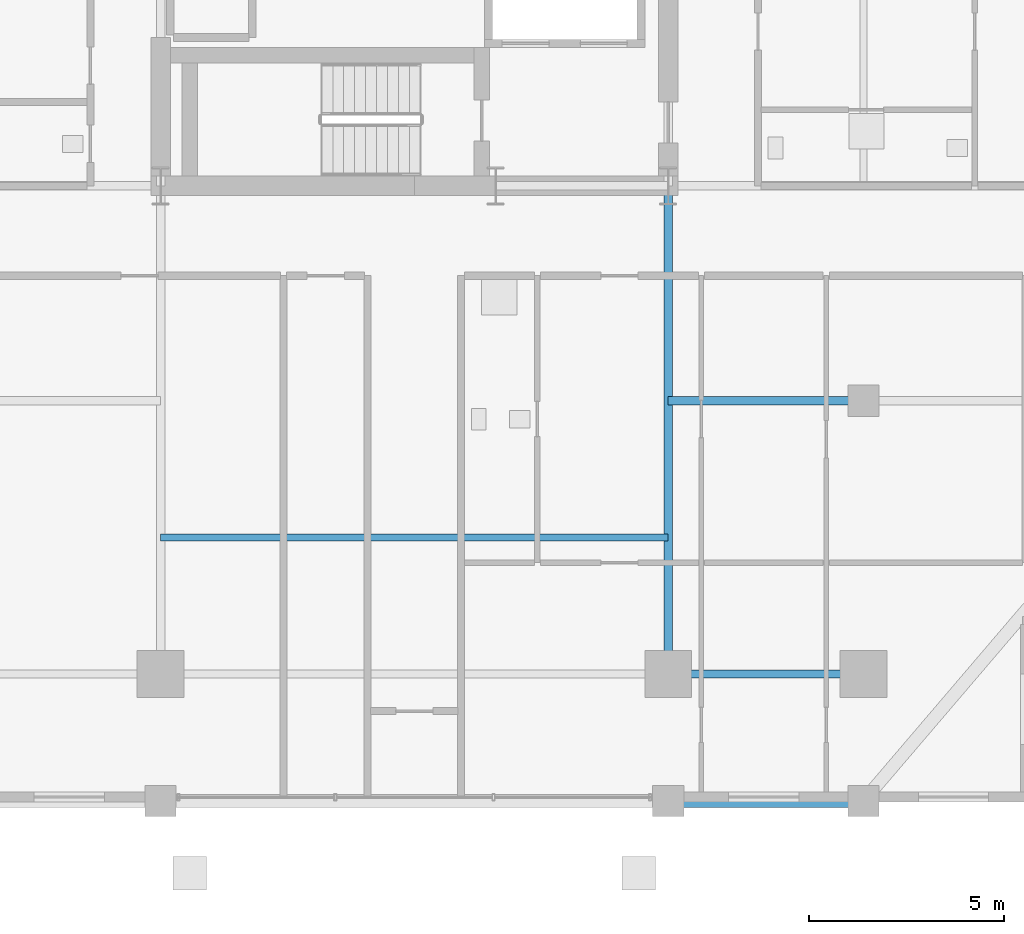
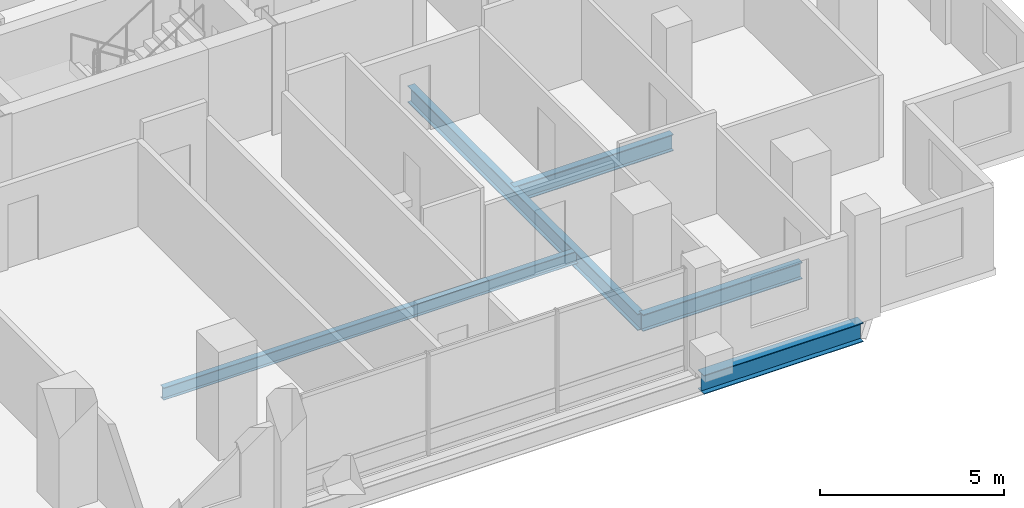
# One storey, part 3 of 19: 5 beams.
"""IFC4 building model written with IfcOpenShell, lengths in metres."""

from ifc_helpers import new_model, si_unit, direction, frame, origin, origin_2d, place, context, subcontext, project, spatial, i_section, extrude, material, material_profile, profile_set, type_object, element, save


model = new_model("IFC4")

# Units and contexts
model_context = context("Model", 3, precision=1e-05, world=origin(), true_north=direction((0.0, 1.0)))
body_context = subcontext(model_context, "Body", "Model", "MODEL_VIEW")
ifc_project = project(units=[si_unit("LENGTHUNIT", "METRE"), si_unit("AREAUNIT", "SQUARE_METRE"), si_unit("VOLUMEUNIT", "CUBIC_METRE"), si_unit("PLANEANGLEUNIT", "RADIAN"), si_unit("MASSUNIT", "GRAM", prefix="KILO")], contexts=[model_context])

# Site, building, storey
site_placement = place(None, origin())
site = spatial("IfcSite", under=ifc_project, at=site_placement, CompositionType="ELEMENT")
building_placement = place(site_placement, origin())
building = spatial("IfcBuilding", under=site, at=building_placement, Name="Barlavira Tower and Art Museum", CompositionType="ELEMENT")
storey_placement = place(building_placement, frame((0.0, 0.0, 158.39990234375)))
storey = spatial("IfcBuildingStorey", under=building, at=storey_placement, Name="L40", CompositionType="ELEMENT", Elevation=158.39990234375)

# Beams
ifc_material = material(Name="Steel S355", Category="steel")
ifc_material_profile_1 = material_profile(ifc_material, i_section(OverallWidth=0.327880859375, OverallDepth=0.62890625, WebThickness=0.013916015625, FlangeThickness=0.021484375, at=origin_2d()), Name="W610x174.0")
ifc_profile_set_1 = profile_set([ifc_material_profile_1], Name="Steel S355")
beam_type_1 = type_object("IfcBeamType", Name="Perimeter Spandrel Edge Beam W610x174 Steel S355", PredefinedType="SPANDREL", material=ifc_profile_set_1)
beam_1_placement = place(storey_placement, frame((6.5, -23.25, -0.534423828125), z_axis=(1.0, 0.0, 0.0), x_axis=(0.0, 1.0, 0.0)))
element("IfcBeam", 1, at=beam_1_placement, inside=storey, type_object=beam_type_1, Name="L40 Spandrel 3", PredefinedType="SPANDREL", context=body_context, shape_type="SweptSolid", body=[
    extrude(i_section(OverallWidth=0.327880859375, OverallDepth=0.62890625, WebThickness=0.013916015625, FlangeThickness=0.021484375, at=origin_2d()), origin(), (0.0, 0.0, 1.0), 5.0),
])
ifc_material_profile_2 = material_profile(ifc_material, i_section(OverallWidth=0.214111328125, OverallDepth=0.549072265625, WebThickness=0.0146484375, FlangeThickness=0.023681640625, at=origin_2d()), Name="W530x138.0")
ifc_profile_set_2 = profile_set([ifc_material_profile_2], Name="Steel S355")
beam_type_2 = type_object("IfcBeamType", Name="Zone 1 Primary Floor Girder W530x138 Steel S355", PredefinedType="BEAM", material=ifc_profile_set_2)
beam_2_placement = place(storey_placement, frame((6.5, -20.0, -0.494384765625), z_axis=(1.0, 0.0, 0.0), x_axis=(0.0, 1.0, 0.0)))
element("IfcBeam", 2, at=beam_2_placement, inside=storey, type_object=beam_type_2, Name="L40 Girder M-S3", PredefinedType="BEAM", context=body_context, shape_type="SweptSolid", body=[
    extrude(i_section(OverallWidth=0.214111328125, OverallDepth=0.549072265625, WebThickness=0.0146484375, FlangeThickness=0.023681640625, at=origin_2d()), origin(), (0.0, 0.0, 1.0), 5.0),
])
beam_3_placement = place(storey_placement, frame((6.5, -20.0, -0.494384765625), z_axis=(0.0, 1.0, 0.0), x_axis=(-1.0, 0.0, 0.0)))
element("IfcBeam", 3, at=beam_3_placement, inside=storey, type_object=beam_type_2, Name="L40 Girder R-S2", PredefinedType="BEAM", context=body_context, shape_type="SweptSolid", body=[
    extrude(i_section(OverallWidth=0.214111328125, OverallDepth=0.549072265625, WebThickness=0.0146484375, FlangeThickness=0.023681640625, at=origin_2d()), origin(), (0.0, 0.0, 1.0), 12.5),
])
beam_4_placement = place(storey_placement, frame((6.5, -13.0, -0.494384765625), z_axis=(1.0, 0.0, 0.0), x_axis=(0.0, 1.0, 0.0)))
element("IfcBeam", 4, at=beam_4_placement, inside=storey, type_object=beam_type_2, Name="L40 Girder I-S3", PredefinedType="BEAM", context=body_context, shape_type="SweptSolid", body=[
    extrude(i_section(OverallWidth=0.214111328125, OverallDepth=0.549072265625, WebThickness=0.0146484375, FlangeThickness=0.023681640625, at=origin_2d()), origin(), (0.0, 0.0, 1.0), 5.0),
])
ifc_material_profile_3 = material_profile(ifc_material, i_section(OverallWidth=0.179931640625, OverallDepth=0.4130859375, WebThickness=0.009765625, FlangeThickness=0.01611328125, at=origin_2d()), Name="W410x75.0")
ifc_profile_set_3 = profile_set([ifc_material_profile_3], Name="Steel S355")
beam_type_3 = type_object("IfcBeamType", Name="Zone 2 Composite Floor Joist W410x75 Steel S355", PredefinedType="JOIST", material=ifc_profile_set_3)
beam_5_placement = place(storey_placement, frame((-6.5, -16.5, -0.426513671875), z_axis=(1.0, 0.0, 0.0), x_axis=(0.0, 1.0, 0.0)))
element("IfcBeam", 5, at=beam_5_placement, inside=storey, type_object=beam_type_3, Name="L40 Joist C1", PredefinedType="JOIST", context=body_context, shape_type="SweptSolid", body=[
    extrude(i_section(OverallWidth=0.179931640625, OverallDepth=0.4130859375, WebThickness=0.009765625, FlangeThickness=0.01611328125, at=origin_2d()), origin(), (0.0, 0.0, 1.0), 13.0),
])

save(model, "model.ifc")
